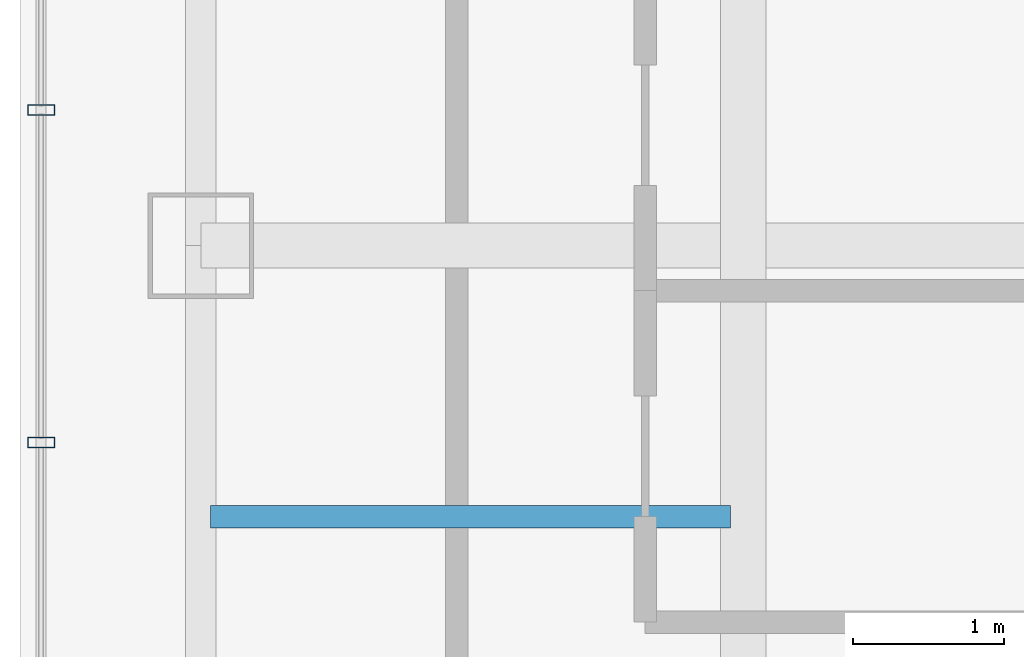
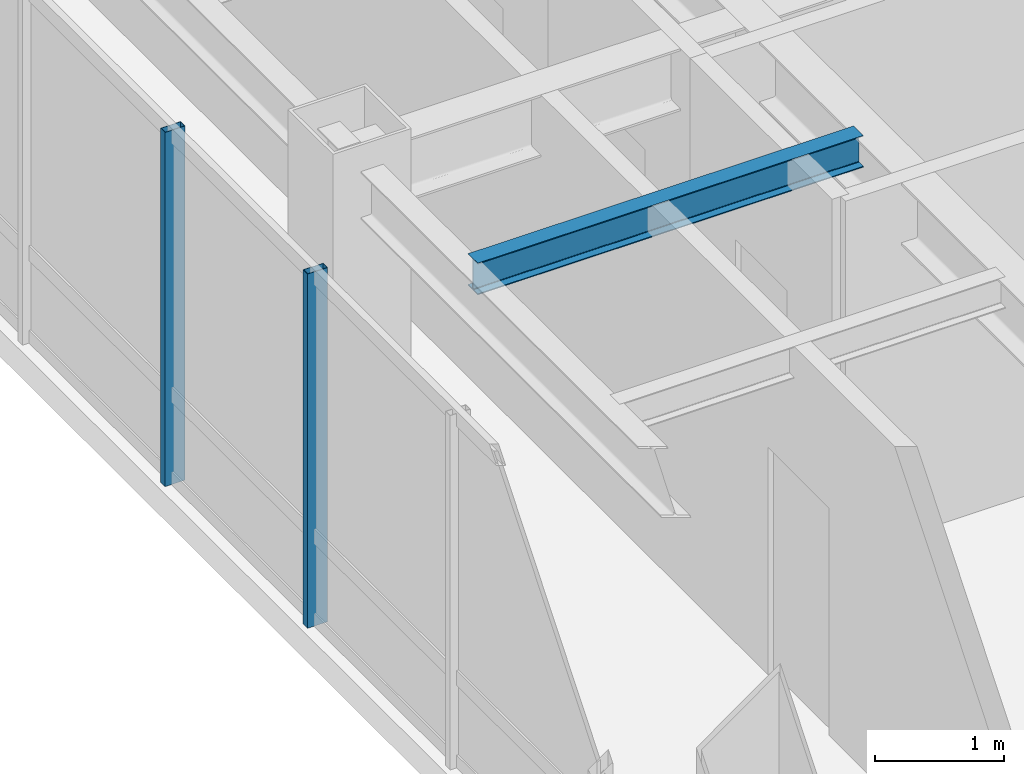
# One storey, part 6 of 24: 2 members, 1 beam, 1 element without a shape of its own.
"""IFC4 building model written with IfcOpenShell, lengths in metres."""

from ifc_helpers import new_model, si_unit, direction, frame, origin, origin_2d, place, context, subcontext, project, spatial, hollow_rectangle, i_section, extrude, material, layer, layer_set, material_profile, profile_set, type_object, element, aggregate, save


model = new_model("IFC4")

# Units and contexts
model_context = context("Model", 3, precision=1e-05, world=origin(), true_north=direction((0.0, 1.0)))
body_context = subcontext(model_context, "Body", "Model", "MODEL_VIEW")
ifc_project = project(units=[si_unit("LENGTHUNIT", "METRE"), si_unit("AREAUNIT", "SQUARE_METRE"), si_unit("VOLUMEUNIT", "CUBIC_METRE"), si_unit("PLANEANGLEUNIT", "RADIAN"), si_unit("MASSUNIT", "GRAM", prefix="KILO")], contexts=[model_context])

# Site, building, storey
site_placement = place(None, origin())
site = spatial("IfcSite", under=ifc_project, at=site_placement, CompositionType="ELEMENT")
building_placement = place(site_placement, origin())
building = spatial("IfcBuilding", under=site, at=building_placement, Name="Hatsunagi Terrace Concourse", CompositionType="ELEMENT")
storey_placement = place(building_placement, frame((0.0, 0.0, 191.550048828125)))
storey = spatial("IfcBuildingStorey", under=building, at=storey_placement, Name="L50", CompositionType="ELEMENT", Elevation=191.550048828125)

# Curtain wall, members
ifc_material_1 = material(Name="Anodised Aluminium Alloy 6063-T5", Category="aluminium")
ifc_layer = layer(ifc_material_1, 0.199951171875)
ifc_layer_set = layer_set([ifc_layer], Name="OfficeZone2_CW04")
curtain_wall_type = type_object("IfcCurtainWallType", Name="OfficeZone2_CW04", PredefinedType="NOTDEFINED", material=ifc_layer_set)
curtain_wall_placement = place(storey_placement, origin())
curtain_wall = element("IfcCurtainWall", 1, at=curtain_wall_placement, inside=storey, type_object=curtain_wall_type, Name="Unitised Curtain Wall CW-04 CW-L50-08", PredefinedType="NOTDEFINED")
ifc_material_2 = material(Name="Anodised Aluminium Alloy 6063-T5", Category="aluminium")
ifc_material_profile_1 = material_profile(ifc_material_2, hollow_rectangle(XDim=0.070068359375, YDim=0.179931640625, WallThickness=0.00390625, at=origin_2d()), Name="ALU-MUL-180x70x4")
ifc_profile_set_1 = profile_set([ifc_material_profile_1], Name="Anodised Aluminium Alloy 6063-T5")
member_type = type_object("IfcMemberType", Name="CurtainWallMullion_180x70", PredefinedType="MULLION", material=ifc_profile_set_1)
member_1_placement = place(storey_placement, frame((18.139892578125, 34.69189453125, 0.0), z_axis=(0.0, 0.0, 1.0), x_axis=(0.0, 1.0, 0.0)))
member_1 = element("IfcMember", 2, at=member_1_placement, type_object=member_type, Name="Curtain Wall Mullion MUL-02", PredefinedType="MULLION", context=body_context, shape_type="SweptSolid", body=[
    extrude(hollow_rectangle(XDim=0.070068359375, YDim=0.179931640625, WallThickness=0.00390625, at=origin_2d()), origin(), (0.0, 0.0, 1.0), 3.349853515625),
])
member_2_placement = place(storey_placement, frame((18.139892578125, 36.89990234375, 0.0), z_axis=(0.0, 0.0, 1.0), x_axis=(0.0, 1.0, 0.0)))
member_2 = element("IfcMember", 3, at=member_2_placement, type_object=member_type, Name="Curtain Wall Mullion MUL-02", PredefinedType="MULLION", context=body_context, shape_type="SweptSolid", body=[
    extrude(hollow_rectangle(XDim=0.070068359375, YDim=0.179931640625, WallThickness=0.00390625, at=origin_2d()), origin(), (0.0, 0.0, 1.0), 3.349853515625),
])
aggregate(curtain_wall, [member_1, member_2])

# Beam
ifc_material_3 = material(Name="Steel SN490B", Category="steel")
ifc_material_profile_2 = material_profile(ifc_material_3, i_section(OverallWidth=0.14990234375, OverallDepth=0.300048828125, WebThickness=0.006591796875, FlangeThickness=0.009033203125, FilletRadius=0.010986328125, at=origin_2d()), Name="H-300x150x6.5x9")
ifc_profile_set_2 = profile_set([ifc_material_profile_2], Name="Steel SN490B")
beam_type = type_object("IfcBeamType", Name="OfficeJoist_H_300x150", PredefinedType="JOIST", material=ifc_profile_set_2)
beam_placement = place(storey_placement, frame((19.264892578125, 34.199951171875, 3.199951171875), z_axis=(1.0, 0.0, 0.0), x_axis=(0.0, 1.0, 0.0)))
element("IfcBeam", 4, at=beam_placement, inside=storey, type_object=beam_type, Name="Beam J-03 J-L50-W-19-342", PredefinedType="JOIST", context=body_context, shape_type="SweptSolid", body=[
    extrude(i_section(OverallWidth=0.14990234375, OverallDepth=0.300048828125, WebThickness=0.006591796875, FlangeThickness=0.009033203125, FilletRadius=0.010986328125, at=origin_2d()), origin(), (0.0, 0.0, 1.0), 3.4501953125),
])

save(model, "model.ifc")
